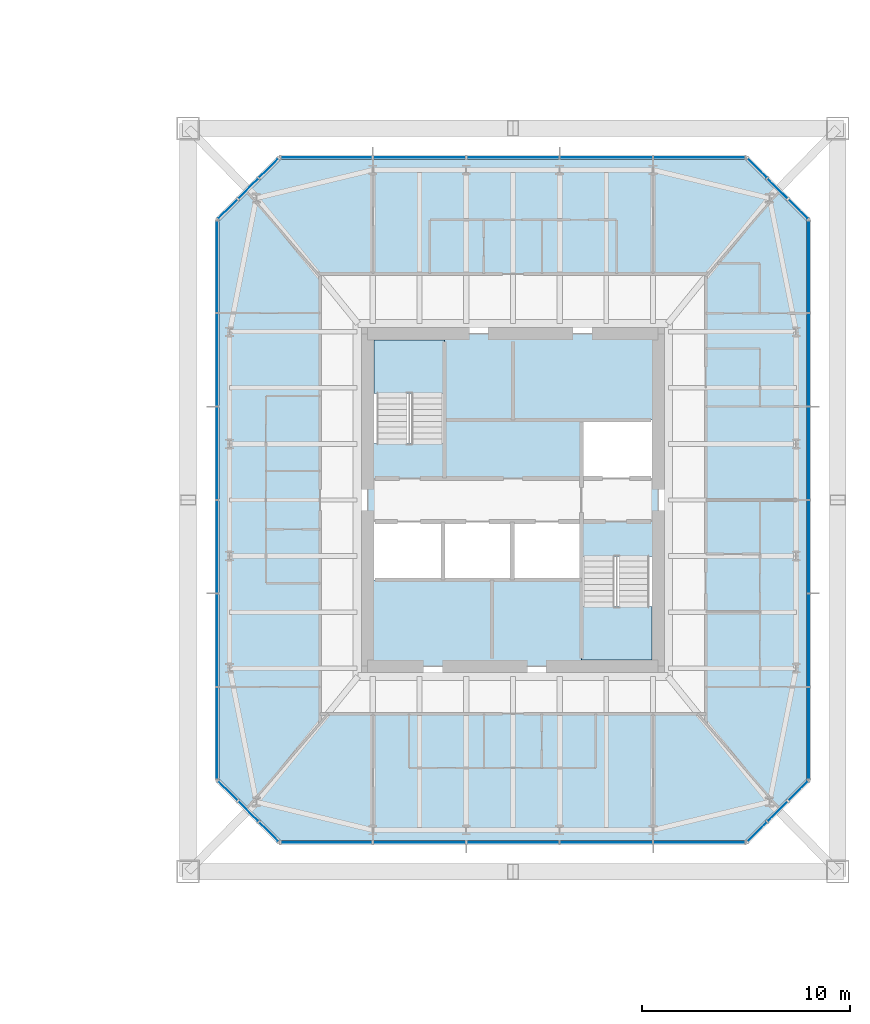
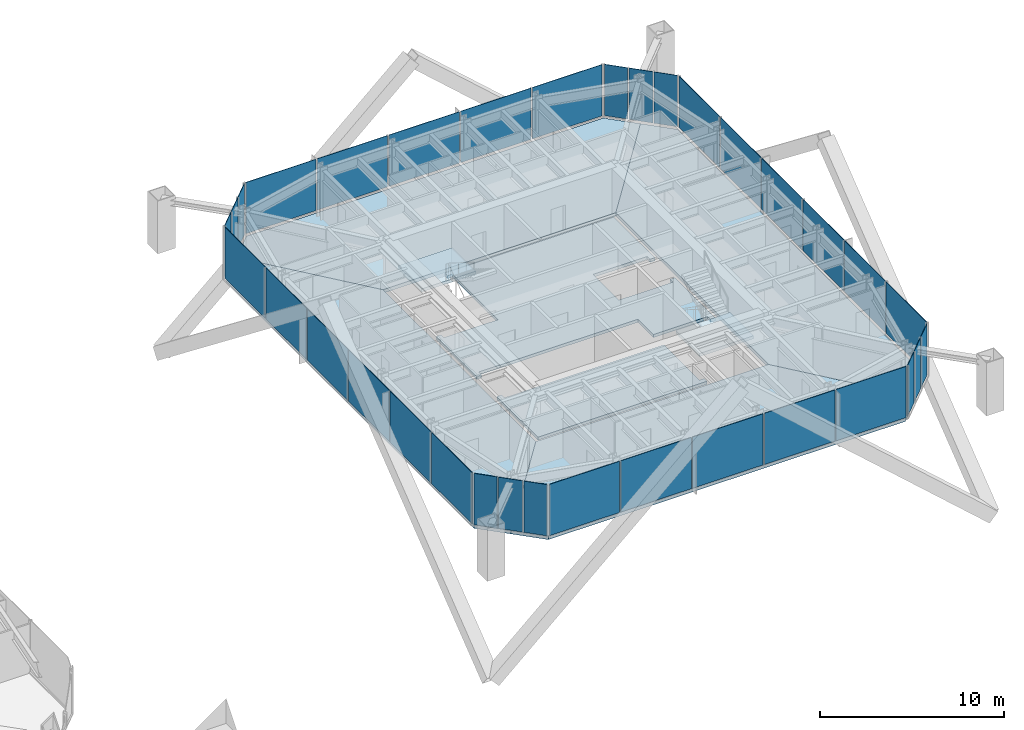
# One storey, part 12 of 25: 34 plates, 8 slabs, 10 elements without a shape of their own.
"""IFC4 building model written with IfcOpenShell, lengths in metres."""

from ifc_helpers import new_model, si_unit, direction, frame, origin, origin_2d, place, context, subcontext, project, spatial, polyline, rectangle, outline, extrude, material, layer, layer_set, constituent, constituent_set, type_object, element, aggregate, save


model = new_model("IFC4")

# Units and contexts
model_context = context("Model", 3, precision=1e-05, world=origin(), true_north=direction((0.0, 1.0)))
body_context = subcontext(model_context, "Body", "Model", "MODEL_VIEW")
ifc_project = project(units=[si_unit("LENGTHUNIT", "METRE"), si_unit("AREAUNIT", "SQUARE_METRE"), si_unit("VOLUMEUNIT", "CUBIC_METRE"), si_unit("PLANEANGLEUNIT", "RADIAN"), si_unit("MASSUNIT", "GRAM", prefix="KILO")], contexts=[model_context])

# Site, building, storey
site_placement = place(None, origin())
site = spatial("IfcSite", under=ifc_project, at=site_placement, CompositionType="ELEMENT")
building_placement = place(site_placement, origin())
building = spatial("IfcBuilding", under=site, at=building_placement, Name="Iwan Alto Co-Living Towers", CompositionType="ELEMENT")
storey_placement = place(building_placement, frame((0.0, 0.0, 108.5)))
storey = spatial("IfcBuildingStorey", under=building, at=storey_placement, Name="L29", CompositionType="ELEMENT", Elevation=108.5)

# Slabs
ifc_material_1 = material(Name="Concrete f'c 30 MPa", Category="concrete")
ifc_layer_1 = layer(ifc_material_1, 0.199951171875)
ifc_layer_set_1 = layer_set([ifc_layer_1], Name="CORE FLOOR SLAB 200")
slab_type_1 = type_object("IfcSlabType", Name="CORE FLOOR SLAB 200", PredefinedType="FLOOR", material=ifc_layer_set_1)
slab_1_placement = place(storey_placement, frame((0.0, 0.0, -0.199951171875)))
element("IfcSlab", 1, at=slab_1_placement, inside=storey, type_object=slab_type_1, Name="T2 core floor L29", PredefinedType="FLOOR", context=body_context, shape_type="SweptSolid", body=[
    extrude(outline(polyline([(70.0, -3.030029296875), (69.699951171875, -3.030029296875), (69.699951171875, -2.719970703125), (66.300048828125, -2.719970703125), (66.300048828125, -1.050048828125), (62.967041015625, -1.050048828125), (59.633056640625, -1.050048828125), (56.300048828125, -1.050048828125), (56.300048828125, -1.360107421875), (56.0, -1.360107421875), (56.0, 3.030029296875), (56.300048828125, 3.030029296875), (56.300048828125, 2.719970703125), (59.699951171875, 2.719970703125), (59.699951171875, 7.699951171875), (59.389892578125, 7.699951171875), (59.389892578125, 8.0), (70.0, 8.0), (70.0, 3.5400390625), (69.699951171875, 3.5400390625), (69.699951171875, 3.85009765625), (66.300048828125, 3.85009765625), (66.300048828125, 1.050048828125), (69.699951171875, 1.050048828125), (69.699951171875, 1.360107421875), (70.0, 1.360107421875), (70.0, -3.030029296875)])), origin(), (0.0, 0.0, 1.0), 0.199951171875),
])
slab_2_placement = place(storey_placement, frame((0.0, 0.0, -0.199951171875)))
element("IfcSlab", 2, at=slab_2_placement, inside=storey, type_object=slab_type_1, Name="T2 core floor L29", PredefinedType="FLOOR", context=body_context, shape_type="SweptSolid", body=[
    extrude(outline(polyline([(62.967041015625, -3.85009765625), (66.300048828125, -3.85009765625), (66.300048828125, -7.699951171875), (66.610107421875, -7.699951171875), (66.610107421875, -8.0), (56.0, -8.0), (56.0, -3.5400390625), (56.300048828125, -3.5400390625), (56.300048828125, -3.85009765625), (59.633056640625, -3.85009765625), (62.967041015625, -3.85009765625)])), origin(), (0.0, 0.0, 1.0), 0.199951171875),
])

# Curtain wall, plate
ifc_material_2 = material(Name="Bronze aluminium unitised frame", Category="aluminium")
curtain_wall_type_1 = type_object("IfcCurtainWallType", Name="CURTAIN WALL CW-C", PredefinedType="NOTDEFINED", material=ifc_material_2)
curtain_wall_1_placement = place(storey_placement, origin())
curtain_wall_1 = element("IfcCurtainWall", 3, at=curtain_wall_1_placement, inside=storey, type_object=curtain_wall_type_1, Name="T2 curtain wall S L29", PredefinedType="NOTDEFINED")
ifc_material_3 = material(Name="Bronze-tinted insulating glass", Category="glass")
ifc_layer_2 = layer(ifc_material_3, 0.031982421875)
ifc_layer_set_2 = layer_set([ifc_layer_2], Name="CW-C PANEL TINTED IGU 32")
plate_type_1 = type_object("IfcPlateType", Name="CW-C PANEL TINTED IGU 32", PredefinedType="CURTAIN_PANEL", material=ifc_layer_set_2)
plate_1_placement = place(storey_placement, frame((63.0, -16.5, 0.10009765625), z_axis=(0.0, 0.0, 1.0), x_axis=(1.0, 0.0, 0.0)))
plate_1 = element("IfcPlate", 4, at=plate_1_placement, type_object=plate_type_1, Name="CW-C panel 3.1", PredefinedType="CURTAIN_PANEL", context=body_context, shape_type="SweptSolid", body=[
    extrude(rectangle(XDim=4.419921875, YDim=0.031982421875, at=origin_2d()), origin(), (0.0, 0.0, 1.0), 3.39990234375),
])

# Curtain wall, plates
curtain_wall_2_placement = place(storey_placement, origin())
curtain_wall_2 = element("IfcCurtainWall", 5, at=curtain_wall_2_placement, inside=storey, type_object=curtain_wall_type_1, Name="T2 curtain wall E L29", PredefinedType="NOTDEFINED")
plate_2_placement = place(storey_placement, frame((77.25, -11.22998046875, 0.10009765625), z_axis=(0.0, 0.0, 1.0), x_axis=(0.0, 1.0, 0.0)))
plate_2 = element("IfcPlate", 6, at=plate_2_placement, type_object=plate_type_1, Name="CW-C panel 1.1", PredefinedType="CURTAIN_PANEL", context=body_context, shape_type="SweptSolid", body=[
    extrude(rectangle(XDim=4.3798828125, YDim=0.031982421875, at=origin_2d()), origin(), (0.0, 0.0, 1.0), 3.39990234375),
])
plate_3_placement = place(storey_placement, frame((77.25, 11.22998046875, 0.10009765625), z_axis=(0.0, 0.0, 1.0), x_axis=(0.0, 1.0, 0.0)))
plate_3 = element("IfcPlate", 7, at=plate_3_placement, type_object=plate_type_1, Name="CW-C panel 6.1", PredefinedType="CURTAIN_PANEL", context=body_context, shape_type="SweptSolid", body=[
    extrude(rectangle(XDim=4.3798828125, YDim=0.031982421875, at=origin_2d()), origin(), (0.0, 0.0, 1.0), 3.39990234375),
])

# Curtain wall, plate
curtain_wall_3_placement = place(storey_placement, origin())
curtain_wall_3 = element("IfcCurtainWall", 8, at=curtain_wall_3_placement, inside=storey, type_object=curtain_wall_type_1, Name="T2 curtain wall N L29", PredefinedType="NOTDEFINED")
plate_4_placement = place(storey_placement, frame((63.0, 16.5, 0.10009765625), z_axis=(0.0, 0.0, 1.0), x_axis=(-1.0, 0.0, 0.0)))
plate_4 = element("IfcPlate", 9, at=plate_4_placement, type_object=plate_type_1, Name="CW-C panel 3.1", PredefinedType="CURTAIN_PANEL", context=body_context, shape_type="SweptSolid", body=[
    extrude(rectangle(XDim=4.419921875, YDim=0.031982421875, at=origin_2d()), origin(), (0.0, 0.0, 1.0), 3.39990234375),
])

# Curtain wall, plates
curtain_wall_4_placement = place(storey_placement, origin())
curtain_wall_4 = element("IfcCurtainWall", 10, at=curtain_wall_4_placement, inside=storey, type_object=curtain_wall_type_1, Name="T2 curtain wall W L29", PredefinedType="NOTDEFINED")
plate_5_placement = place(storey_placement, frame((48.75, 11.22998046875, 0.10009765625), z_axis=(0.0, 0.0, 1.0), x_axis=(0.0, -1.0, 0.0)))
plate_5 = element("IfcPlate", 11, at=plate_5_placement, type_object=plate_type_1, Name="CW-C panel 1.1", PredefinedType="CURTAIN_PANEL", context=body_context, shape_type="SweptSolid", body=[
    extrude(rectangle(XDim=4.3798828125, YDim=0.031982421875, at=origin_2d()), origin(), (0.0, 0.0, 1.0), 3.39990234375),
])
plate_6_placement = place(storey_placement, frame((48.75, -11.22998046875, 0.10009765625), z_axis=(0.0, 0.0, 1.0), x_axis=(0.0, -1.0, 0.0)))
plate_6 = element("IfcPlate", 12, at=plate_6_placement, type_object=plate_type_1, Name="CW-C panel 6.1", PredefinedType="CURTAIN_PANEL", context=body_context, shape_type="SweptSolid", body=[
    extrude(rectangle(XDim=4.3798828125, YDim=0.031982421875, at=origin_2d()), origin(), (0.0, 0.0, 1.0), 3.39990234375),
])

# Plate
ifc_material_4 = material(Name="Insulated bronze aluminium spandrel panel", Category="aluminium")
ifc_layer_3 = layer(ifc_material_4, 0.031982421875)
ifc_layer_set_3 = layer_set([ifc_layer_3], Name="CW-C SPANDREL PANEL 32")
plate_type_2 = type_object("IfcPlateType", Name="CW-C SPANDREL PANEL 32", PredefinedType="CURTAIN_PANEL", material=ifc_layer_set_3)
plate_7_placement = place(storey_placement, frame((54.02001953125, -16.5, 0.10009765625), z_axis=(0.0, 0.0, 1.0), x_axis=(1.0, 0.0, 0.0)))
plate_7 = element("IfcPlate", 13, at=plate_7_placement, type_object=plate_type_2, Name="CW-C spandrel panel 1.1 (braced bay)", PredefinedType="CURTAIN_PANEL", context=body_context, shape_type="SweptSolid", body=[
    extrude(rectangle(XDim=4.3798828125, YDim=0.031982421875, at=origin_2d()), origin(), (0.0, 0.0, 1.0), 3.39990234375),
])

plate_8_placement = place(storey_placement, frame((58.5, -16.5, 0.10009765625), z_axis=(0.0, 0.0, 1.0), x_axis=(1.0, 0.0, 0.0)))
plate_8 = element("IfcPlate", 14, at=plate_8_placement, type_object=plate_type_2, Name="CW-C spandrel panel 2.1 (braced bay)", PredefinedType="CURTAIN_PANEL", context=body_context, shape_type="SweptSolid", body=[
    extrude(rectangle(XDim=4.419921875, YDim=0.031982421875, at=origin_2d()), origin(), (0.0, 0.0, 1.0), 3.39990234375),
])

plate_9_placement = place(storey_placement, frame((67.5, -16.5, 0.10009765625), z_axis=(0.0, 0.0, 1.0), x_axis=(1.0, 0.0, 0.0)))
plate_9 = element("IfcPlate", 15, at=plate_9_placement, type_object=plate_type_2, Name="CW-C spandrel panel 4.1 (braced bay)", PredefinedType="CURTAIN_PANEL", context=body_context, shape_type="SweptSolid", body=[
    extrude(rectangle(XDim=4.419921875, YDim=0.031982421875, at=origin_2d()), origin(), (0.0, 0.0, 1.0), 3.39990234375),
])

plate_10_placement = place(storey_placement, frame((71.97998046875, -16.5, 0.10009765625), z_axis=(0.0, 0.0, 1.0), x_axis=(1.0, 0.0, 0.0)))
plate_10 = element("IfcPlate", 16, at=plate_10_placement, type_object=plate_type_2, Name="CW-C spandrel panel 5.1 (braced bay)", PredefinedType="CURTAIN_PANEL", context=body_context, shape_type="SweptSolid", body=[
    extrude(rectangle(XDim=4.3798828125, YDim=0.031982421875, at=origin_2d()), origin(), (0.0, 0.0, 1.0), 3.39990234375),
])

aggregate(curtain_wall_1, [plate_1, plate_7, plate_8, plate_9, plate_10])

plate_11_placement = place(storey_placement, frame((77.25, -6.75, 0.10009765625), z_axis=(0.0, 0.0, 1.0), x_axis=(0.0, 1.0, 0.0)))
plate_11 = element("IfcPlate", 17, at=plate_11_placement, type_object=plate_type_2, Name="CW-C spandrel panel 2.1 (braced bay)", PredefinedType="CURTAIN_PANEL", context=body_context, shape_type="SweptSolid", body=[
    extrude(rectangle(XDim=4.419921875, YDim=0.031982421875, at=origin_2d()), origin(), (0.0, 0.0, 1.0), 3.39990234375),
])

plate_12_placement = place(storey_placement, frame((77.25, -2.25, 0.10009765625), z_axis=(0.0, 0.0, 1.0), x_axis=(0.0, 1.0, 0.0)))
plate_12 = element("IfcPlate", 18, at=plate_12_placement, type_object=plate_type_2, Name="CW-C spandrel panel 3.1 (braced bay)", PredefinedType="CURTAIN_PANEL", context=body_context, shape_type="SweptSolid", body=[
    extrude(rectangle(XDim=4.419921875, YDim=0.031982421875, at=origin_2d()), origin(), (0.0, 0.0, 1.0), 3.39990234375),
])

plate_13_placement = place(storey_placement, frame((77.25, 2.25, 0.10009765625), z_axis=(0.0, 0.0, 1.0), x_axis=(0.0, 1.0, 0.0)))
plate_13 = element("IfcPlate", 19, at=plate_13_placement, type_object=plate_type_2, Name="CW-C spandrel panel 4.1 (braced bay)", PredefinedType="CURTAIN_PANEL", context=body_context, shape_type="SweptSolid", body=[
    extrude(rectangle(XDim=4.419921875, YDim=0.031982421875, at=origin_2d()), origin(), (0.0, 0.0, 1.0), 3.39990234375),
])

plate_14_placement = place(storey_placement, frame((77.25, 6.75, 0.10009765625), z_axis=(0.0, 0.0, 1.0), x_axis=(0.0, 1.0, 0.0)))
plate_14 = element("IfcPlate", 20, at=plate_14_placement, type_object=plate_type_2, Name="CW-C spandrel panel 5.1 (braced bay)", PredefinedType="CURTAIN_PANEL", context=body_context, shape_type="SweptSolid", body=[
    extrude(rectangle(XDim=4.419921875, YDim=0.031982421875, at=origin_2d()), origin(), (0.0, 0.0, 1.0), 3.39990234375),
])

aggregate(curtain_wall_2, [plate_2, plate_3, plate_11, plate_12, plate_13, plate_14])

plate_15_placement = place(storey_placement, frame((71.97998046875, 16.5, 0.10009765625), z_axis=(0.0, 0.0, 1.0), x_axis=(-1.0, 0.0, 0.0)))
plate_15 = element("IfcPlate", 21, at=plate_15_placement, type_object=plate_type_2, Name="CW-C spandrel panel 1.1 (braced bay)", PredefinedType="CURTAIN_PANEL", context=body_context, shape_type="SweptSolid", body=[
    extrude(rectangle(XDim=4.3798828125, YDim=0.031982421875, at=origin_2d()), origin(), (0.0, 0.0, 1.0), 3.39990234375),
])

plate_16_placement = place(storey_placement, frame((67.5, 16.5, 0.10009765625), z_axis=(0.0, 0.0, 1.0), x_axis=(-1.0, 0.0, 0.0)))
plate_16 = element("IfcPlate", 22, at=plate_16_placement, type_object=plate_type_2, Name="CW-C spandrel panel 2.1 (braced bay)", PredefinedType="CURTAIN_PANEL", context=body_context, shape_type="SweptSolid", body=[
    extrude(rectangle(XDim=4.419921875, YDim=0.031982421875, at=origin_2d()), origin(), (0.0, 0.0, 1.0), 3.39990234375),
])

plate_17_placement = place(storey_placement, frame((58.5, 16.5, 0.10009765625), z_axis=(0.0, 0.0, 1.0), x_axis=(-1.0, 0.0, 0.0)))
plate_17 = element("IfcPlate", 23, at=plate_17_placement, type_object=plate_type_2, Name="CW-C spandrel panel 4.1 (braced bay)", PredefinedType="CURTAIN_PANEL", context=body_context, shape_type="SweptSolid", body=[
    extrude(rectangle(XDim=4.419921875, YDim=0.031982421875, at=origin_2d()), origin(), (0.0, 0.0, 1.0), 3.39990234375),
])

plate_18_placement = place(storey_placement, frame((54.02001953125, 16.5, 0.10009765625), z_axis=(0.0, 0.0, 1.0), x_axis=(-1.0, 0.0, 0.0)))
plate_18 = element("IfcPlate", 24, at=plate_18_placement, type_object=plate_type_2, Name="CW-C spandrel panel 5.1 (braced bay)", PredefinedType="CURTAIN_PANEL", context=body_context, shape_type="SweptSolid", body=[
    extrude(rectangle(XDim=4.3798828125, YDim=0.031982421875, at=origin_2d()), origin(), (0.0, 0.0, 1.0), 3.39990234375),
])

aggregate(curtain_wall_3, [plate_4, plate_15, plate_16, plate_17, plate_18])

plate_19_placement = place(storey_placement, frame((48.75, 6.75, 0.10009765625), z_axis=(0.0, 0.0, 1.0), x_axis=(0.0, -1.0, 0.0)))
plate_19 = element("IfcPlate", 25, at=plate_19_placement, type_object=plate_type_2, Name="CW-C spandrel panel 2.1 (braced bay)", PredefinedType="CURTAIN_PANEL", context=body_context, shape_type="SweptSolid", body=[
    extrude(rectangle(XDim=4.419921875, YDim=0.031982421875, at=origin_2d()), origin(), (0.0, 0.0, 1.0), 3.39990234375),
])

plate_20_placement = place(storey_placement, frame((48.75, 2.25, 0.10009765625), z_axis=(0.0, 0.0, 1.0), x_axis=(0.0, -1.0, 0.0)))
plate_20 = element("IfcPlate", 26, at=plate_20_placement, type_object=plate_type_2, Name="CW-C spandrel panel 3.1 (braced bay)", PredefinedType="CURTAIN_PANEL", context=body_context, shape_type="SweptSolid", body=[
    extrude(rectangle(XDim=4.419921875, YDim=0.031982421875, at=origin_2d()), origin(), (0.0, 0.0, 1.0), 3.39990234375),
])

plate_21_placement = place(storey_placement, frame((48.75, -2.25, 0.10009765625), z_axis=(0.0, 0.0, 1.0), x_axis=(0.0, -1.0, 0.0)))
plate_21 = element("IfcPlate", 27, at=plate_21_placement, type_object=plate_type_2, Name="CW-C spandrel panel 4.1 (braced bay)", PredefinedType="CURTAIN_PANEL", context=body_context, shape_type="SweptSolid", body=[
    extrude(rectangle(XDim=4.419921875, YDim=0.031982421875, at=origin_2d()), origin(), (0.0, 0.0, 1.0), 3.39990234375),
])

plate_22_placement = place(storey_placement, frame((48.75, -6.75, 0.10009765625), z_axis=(0.0, 0.0, 1.0), x_axis=(0.0, -1.0, 0.0)))
plate_22 = element("IfcPlate", 28, at=plate_22_placement, type_object=plate_type_2, Name="CW-C spandrel panel 5.1 (braced bay)", PredefinedType="CURTAIN_PANEL", context=body_context, shape_type="SweptSolid", body=[
    extrude(rectangle(XDim=4.419921875, YDim=0.031982421875, at=origin_2d()), origin(), (0.0, 0.0, 1.0), 3.39990234375),
])

aggregate(curtain_wall_4, [plate_5, plate_6, plate_19, plate_20, plate_21, plate_22])

# Curtain wall, plates
ifc_material_5 = material(Name="Bronze aluminium unitised frame", Category="aluminium")
curtain_wall_type_2 = type_object("IfcCurtainWallType", Name="CURTAIN WALL CW-D", PredefinedType="NOTDEFINED", material=ifc_material_5)
curtain_wall_5_placement = place(storey_placement, origin())
curtain_wall_5 = element("IfcCurtainWall", 29, at=curtain_wall_5_placement, inside=storey, type_object=curtain_wall_type_2, Name="T2 chamfer curtain wall SE L29", PredefinedType="NOTDEFINED")
ifc_material_6 = material(Name="Bronze-tinted insulating glass", Category="glass")
ifc_layer_4 = layer(ifc_material_6, 0.031982421875)
ifc_layer_set_4 = layer_set([ifc_layer_4], Name="CW-D PANEL TINTED IGU 32")
plate_type_3 = type_object("IfcPlateType", Name="CW-D PANEL TINTED IGU 32", PredefinedType="CURTAIN_PANEL", material=ifc_layer_set_4)
plate_23_placement = place(storey_placement, frame((74.76416015625, -15.98583984375, 0.10009765625), z_axis=(0.0, 0.0, 1.0), x_axis=(0.707106781187, 0.707106781187, 0.0)))
plate_23 = element("IfcPlate", 30, at=plate_23_placement, type_object=plate_type_3, Name="CW-D panel 1.1", PredefinedType="CURTAIN_PANEL", context=body_context, shape_type="SweptSolid", body=[
    extrude(rectangle(XDim=1.294189453125, YDim=0.031982421875, at=origin_2d()), origin(), (0.0, 0.0, 1.0), 3.39990234375),
])
plate_24_placement = place(storey_placement, frame((75.75, -15.0, 0.10009765625), z_axis=(0.0, 0.0, 1.0), x_axis=(0.707106781187, 0.707106781187, 0.0)))
plate_24 = element("IfcPlate", 31, at=plate_24_placement, type_object=plate_type_3, Name="CW-D panel 2.1", PredefinedType="CURTAIN_PANEL", context=body_context, shape_type="SweptSolid", body=[
    extrude(rectangle(XDim=1.334228515625, YDim=0.031982421875, at=origin_2d()), origin(), (0.0, 0.0, 1.0), 3.39990234375),
])
plate_25_placement = place(storey_placement, frame((76.73583984375, -14.01416015625, 0.10009765625), z_axis=(0.0, 0.0, 1.0), x_axis=(0.707106781187, 0.707106781187, 0.0)))
plate_25 = element("IfcPlate", 32, at=plate_25_placement, type_object=plate_type_3, Name="CW-D panel 3.1", PredefinedType="CURTAIN_PANEL", context=body_context, shape_type="SweptSolid", body=[
    extrude(rectangle(XDim=1.294189453125, YDim=0.031982421875, at=origin_2d()), origin(), (0.0, 0.0, 1.0), 3.39990234375),
])
aggregate(curtain_wall_5, [plate_23, plate_24, plate_25])

curtain_wall_6_placement = place(storey_placement, origin())
curtain_wall_6 = element("IfcCurtainWall", 33, at=curtain_wall_6_placement, inside=storey, type_object=curtain_wall_type_2, Name="T2 chamfer curtain wall NE L29", PredefinedType="NOTDEFINED")
plate_26_placement = place(storey_placement, frame((76.73583984375, 14.01416015625, 0.10009765625), z_axis=(0.0, 0.0, 1.0), x_axis=(-0.707106781187, 0.707106781187, 0.0)))
plate_26 = element("IfcPlate", 34, at=plate_26_placement, type_object=plate_type_3, Name="CW-D panel 1.1", PredefinedType="CURTAIN_PANEL", context=body_context, shape_type="SweptSolid", body=[
    extrude(rectangle(XDim=1.294189453125, YDim=0.031982421875, at=origin_2d()), origin(), (0.0, 0.0, 1.0), 3.39990234375),
])
plate_27_placement = place(storey_placement, frame((75.75, 15.0, 0.10009765625), z_axis=(0.0, 0.0, 1.0), x_axis=(-0.707106781187, 0.707106781187, 0.0)))
plate_27 = element("IfcPlate", 35, at=plate_27_placement, type_object=plate_type_3, Name="CW-D panel 2.1", PredefinedType="CURTAIN_PANEL", context=body_context, shape_type="SweptSolid", body=[
    extrude(rectangle(XDim=1.334228515625, YDim=0.031982421875, at=origin_2d()), origin(), (0.0, 0.0, 1.0), 3.39990234375),
])
plate_28_placement = place(storey_placement, frame((74.76416015625, 15.98583984375, 0.10009765625), z_axis=(0.0, 0.0, 1.0), x_axis=(-0.707106781187, 0.707106781187, 0.0)))
plate_28 = element("IfcPlate", 36, at=plate_28_placement, type_object=plate_type_3, Name="CW-D panel 3.1", PredefinedType="CURTAIN_PANEL", context=body_context, shape_type="SweptSolid", body=[
    extrude(rectangle(XDim=1.294189453125, YDim=0.031982421875, at=origin_2d()), origin(), (0.0, 0.0, 1.0), 3.39990234375),
])
aggregate(curtain_wall_6, [plate_26, plate_27, plate_28])

curtain_wall_7_placement = place(storey_placement, origin())
curtain_wall_7 = element("IfcCurtainWall", 37, at=curtain_wall_7_placement, inside=storey, type_object=curtain_wall_type_2, Name="T2 chamfer curtain wall NW L29", PredefinedType="NOTDEFINED")
plate_29_placement = place(storey_placement, frame((51.23583984375, 15.98583984375, 0.10009765625), z_axis=(0.0, 0.0, 1.0), x_axis=(-0.707106781187, -0.707106781187, 0.0)))
plate_29 = element("IfcPlate", 38, at=plate_29_placement, type_object=plate_type_3, Name="CW-D panel 1.1", PredefinedType="CURTAIN_PANEL", context=body_context, shape_type="SweptSolid", body=[
    extrude(rectangle(XDim=1.294189453125, YDim=0.031982421875, at=origin_2d()), origin(), (0.0, 0.0, 1.0), 3.39990234375),
])
plate_30_placement = place(storey_placement, frame((50.25, 15.0, 0.10009765625), z_axis=(0.0, 0.0, 1.0), x_axis=(-0.707106781187, -0.707106781187, 0.0)))
plate_30 = element("IfcPlate", 39, at=plate_30_placement, type_object=plate_type_3, Name="CW-D panel 2.1", PredefinedType="CURTAIN_PANEL", context=body_context, shape_type="SweptSolid", body=[
    extrude(rectangle(XDim=1.334228515625, YDim=0.031982421875, at=origin_2d()), origin(), (0.0, 0.0, 1.0), 3.39990234375),
])
plate_31_placement = place(storey_placement, frame((49.26416015625, 14.01416015625, 0.10009765625), z_axis=(0.0, 0.0, 1.0), x_axis=(-0.707106781187, -0.707106781187, 0.0)))
plate_31 = element("IfcPlate", 40, at=plate_31_placement, type_object=plate_type_3, Name="CW-D panel 3.1", PredefinedType="CURTAIN_PANEL", context=body_context, shape_type="SweptSolid", body=[
    extrude(rectangle(XDim=1.294189453125, YDim=0.031982421875, at=origin_2d()), origin(), (0.0, 0.0, 1.0), 3.39990234375),
])
aggregate(curtain_wall_7, [plate_29, plate_30, plate_31])

curtain_wall_8_placement = place(storey_placement, origin())
curtain_wall_8 = element("IfcCurtainWall", 41, at=curtain_wall_8_placement, inside=storey, type_object=curtain_wall_type_2, Name="T2 chamfer curtain wall SW L29", PredefinedType="NOTDEFINED")
plate_32_placement = place(storey_placement, frame((49.26416015625, -14.01416015625, 0.10009765625), z_axis=(0.0, 0.0, 1.0), x_axis=(0.707106781187, -0.707106781187, 0.0)))
plate_32 = element("IfcPlate", 42, at=plate_32_placement, type_object=plate_type_3, Name="CW-D panel 1.1", PredefinedType="CURTAIN_PANEL", context=body_context, shape_type="SweptSolid", body=[
    extrude(rectangle(XDim=1.294189453125, YDim=0.031982421875, at=origin_2d()), origin(), (0.0, 0.0, 1.0), 3.39990234375),
])
plate_33_placement = place(storey_placement, frame((50.25, -15.0, 0.10009765625), z_axis=(0.0, 0.0, 1.0), x_axis=(0.707106781187, -0.707106781187, 0.0)))
plate_33 = element("IfcPlate", 43, at=plate_33_placement, type_object=plate_type_3, Name="CW-D panel 2.1", PredefinedType="CURTAIN_PANEL", context=body_context, shape_type="SweptSolid", body=[
    extrude(rectangle(XDim=1.334228515625, YDim=0.031982421875, at=origin_2d()), origin(), (0.0, 0.0, 1.0), 3.39990234375),
])
plate_34_placement = place(storey_placement, frame((51.23583984375, -15.98583984375, 0.10009765625), z_axis=(0.0, 0.0, 1.0), x_axis=(0.707106781187, -0.707106781187, 0.0)))
plate_34 = element("IfcPlate", 44, at=plate_34_placement, type_object=plate_type_3, Name="CW-D panel 3.1", PredefinedType="CURTAIN_PANEL", context=body_context, shape_type="SweptSolid", body=[
    extrude(rectangle(XDim=1.294189453125, YDim=0.031982421875, at=origin_2d()), origin(), (0.0, 0.0, 1.0), 3.39990234375),
])
aggregate(curtain_wall_8, [plate_32, plate_33, plate_34])

# Stair, slab
ifc_material_7 = material(Name="Steel ASTM A36", Category="steel")
ifc_constituent_1 = constituent(ifc_material_7, Name="Stringers", Category="LoadBearing")
ifc_material_8 = material(Name="Concrete f'c 30 MPa", Category="concrete")
ifc_constituent_2 = constituent(ifc_material_8, Name="Tread fill", Category="Finish")
ifc_constituent_set = constituent_set(constituents=[ifc_constituent_1, ifc_constituent_2], Name="STAIR 3500 TWO-FLIGHT T2 CORE")
stair_type = type_object("IfcStairType", Name="STAIR 3500 TWO-FLIGHT T2 CORE", PredefinedType="HALF_TURN_STAIR", material=ifc_constituent_set)
stair_1_placement = place(storey_placement, origin())
stair_1 = element("IfcStair", 45, at=stair_1_placement, inside=storey, type_object=stair_type, Name="Stair T2-S1 L29 to L30", PredefinedType="HALF_TURN_STAIR")
ifc_material_9 = material(Name="Concrete f'c 30 MPa", Category="concrete")
ifc_layer_5 = layer(ifc_material_9, 0.199951171875)
ifc_layer_set_5 = layer_set([ifc_layer_5], Name="STAIR LANDING 200")
slab_type_2 = type_object("IfcSlabType", Name="STAIR LANDING 200", PredefinedType="LANDING", material=ifc_layer_set_5)
slab_3_placement = place(storey_placement, frame((0.0, 0.0, 1.550048828125)))
slab_3 = element("IfcSlab", 46, at=slab_3_placement, type_object=slab_type_2, Name="T2-S1 landing 1", PredefinedType="LANDING", context=body_context, shape_type="SweptSolid", body=[
    extrude(outline(polyline([(56.300048828125, 5.139892578125), (56.300048828125, 7.699951171875), (59.699951171875, 7.699951171875), (59.699951171875, 5.139892578125), (56.300048828125, 5.139892578125)])), origin(), (0.0, 0.0, 1.0), 0.199951171875),
])
aggregate(stair_1, [slab_3])

stair_2_placement = place(storey_placement, origin())
stair_2 = element("IfcStair", 47, at=stair_2_placement, inside=storey, type_object=stair_type, Name="Stair T2-S2 L29 to L30", PredefinedType="HALF_TURN_STAIR")
slab_4_placement = place(storey_placement, frame((0.0, 0.0, 1.550048828125)))
slab_4 = element("IfcSlab", 48, at=slab_4_placement, type_object=slab_type_2, Name="T2-S2 landing 1", PredefinedType="LANDING", context=body_context, shape_type="SweptSolid", body=[
    extrude(outline(polyline([(66.300048828125, -5.139892578125), (66.300048828125, -7.699951171875), (69.699951171875, -7.699951171875), (69.699951171875, -5.139892578125), (66.300048828125, -5.139892578125)])), origin(), (0.0, 0.0, 1.0), 0.199951171875),
])
aggregate(stair_2, [slab_4])

# Slabs
ifc_material_10 = material(Name="Concrete f'c 30 MPa", Category="concrete")
ifc_layer_6 = layer(ifc_material_10, 0.22998046875)
ifc_layer_set_6 = layer_set([ifc_layer_6], Name="T2 FLOOR SLAB 230")
slab_type_3 = type_object("IfcSlabType", Name="T2 FLOOR SLAB 230", PredefinedType="FLOOR", material=ifc_layer_set_6)
slab_5_placement = place(storey_placement, frame((0.0, 0.0, -0.22998046875)))
element("IfcSlab", 49, at=slab_5_placement, inside=storey, type_object=slab_type_3, Name="T2 floor slab L29 S pour", PredefinedType="FLOOR", context=body_context, shape_type="SweptSolid", body=[
    extrude(outline(polyline([(74.19140625, -16.39990234375), (51.80859375, -16.39990234375), (50.330810546875, -14.92236328125), (55.699951171875, -8.300048828125), (70.300048828125, -8.300048828125), (75.669189453125, -14.92236328125), (74.19140625, -16.39990234375)])), origin(), (0.0, 0.0, 1.0), 0.22998046875),
])
slab_6_placement = place(storey_placement, frame((0.0, 0.0, -0.22998046875)))
element("IfcSlab", 50, at=slab_6_placement, inside=storey, type_object=slab_type_3, Name="T2 floor slab L29 E pour", PredefinedType="FLOOR", context=body_context, shape_type="SweptSolid", body=[
    extrude(outline(polyline([(77.14990234375, 13.44140625), (77.14990234375, -13.44140625), (75.669189453125, -14.92236328125), (70.300048828125, -8.300048828125), (70.300048828125, 8.300048828125), (75.669189453125, 14.92236328125), (77.14990234375, 13.44140625)])), origin(), (0.0, 0.0, 1.0), 0.22998046875),
])
slab_7_placement = place(storey_placement, frame((0.0, 0.0, -0.22998046875)))
element("IfcSlab", 51, at=slab_7_placement, inside=storey, type_object=slab_type_3, Name="T2 floor slab L29 N pour", PredefinedType="FLOOR", context=body_context, shape_type="SweptSolid", body=[
    extrude(outline(polyline([(51.80859375, 16.39990234375), (74.19140625, 16.39990234375), (75.669189453125, 14.92236328125), (70.300048828125, 8.300048828125), (55.699951171875, 8.300048828125), (50.330810546875, 14.92236328125), (51.80859375, 16.39990234375)])), origin(), (0.0, 0.0, 1.0), 0.22998046875),
])
slab_8_placement = place(storey_placement, frame((0.0, 0.0, -0.22998046875)))
element("IfcSlab", 52, at=slab_8_placement, inside=storey, type_object=slab_type_3, Name="T2 floor slab L29 W pour", PredefinedType="FLOOR", context=body_context, shape_type="SweptSolid", body=[
    extrude(outline(polyline([(48.85009765625, 13.44140625), (50.330810546875, 14.92236328125), (55.699951171875, 8.300048828125), (55.699951171875, -8.300048828125), (50.330810546875, -14.92236328125), (48.85009765625, -13.44140625), (48.85009765625, 13.44140625)])), origin(), (0.0, 0.0, 1.0), 0.22998046875),
])

save(model, "model.ifc")
